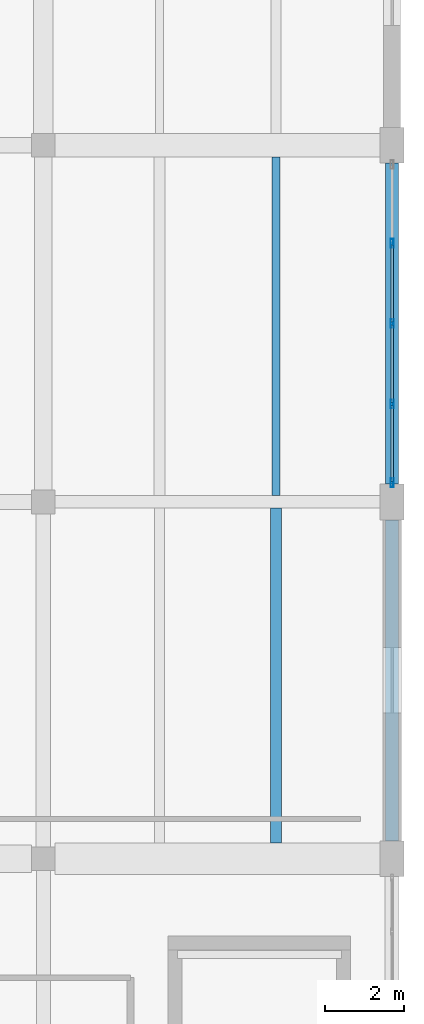
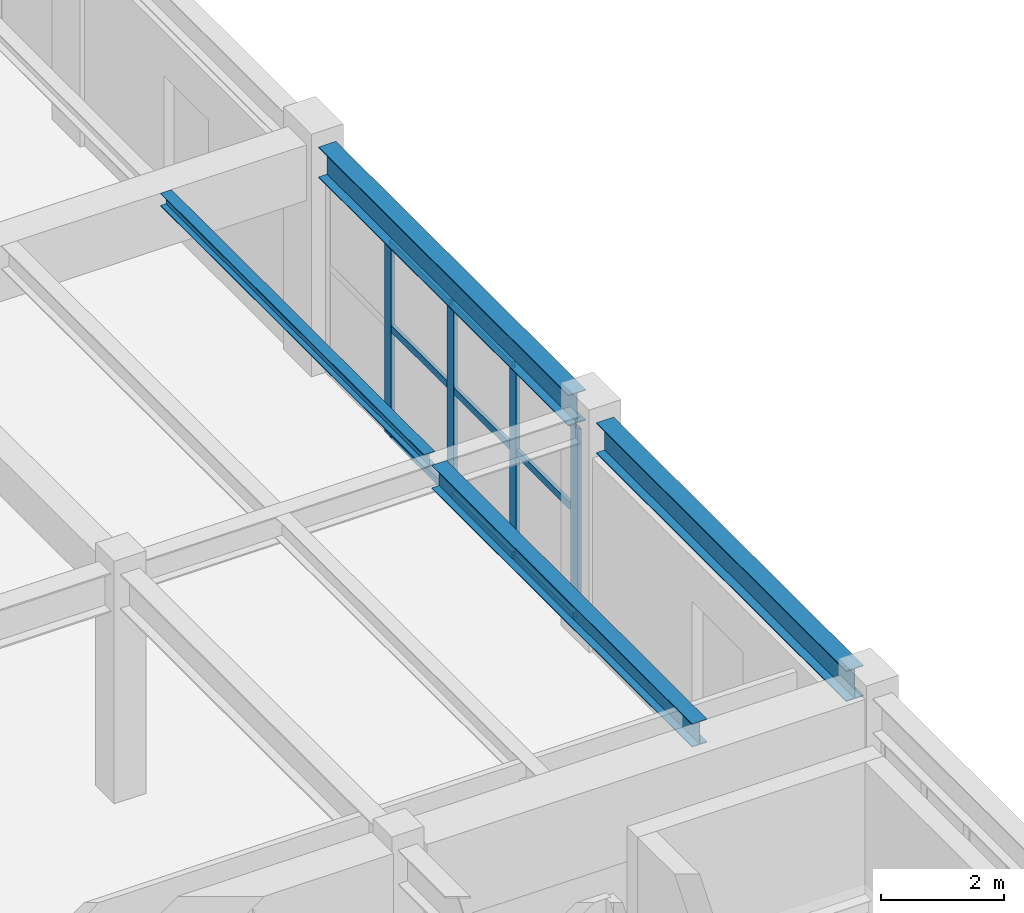
# One storey, part 51 of 85: 13 members, 4 beams, 1 element without a shape of its own.
"""IFC4 building model written with IfcOpenShell, lengths in metres."""

from ifc_helpers import new_model, si_unit, direction, frame, origin, origin_2d, place, context, subcontext, project, spatial, hollow_rectangle, i_section, extrude, material, layer, layer_set, material_profile, profile_set, type_object, element, aggregate, save


model = new_model("IFC4")

# Units and contexts
model_context = context("Model", 3, precision=1e-05, world=origin(), true_north=direction((0.0, 1.0)))
body_context = subcontext(model_context, "Body", "Model", "MODEL_VIEW")
ifc_project = project(units=[si_unit("LENGTHUNIT", "METRE"), si_unit("AREAUNIT", "SQUARE_METRE"), si_unit("VOLUMEUNIT", "CUBIC_METRE"), si_unit("PLANEANGLEUNIT", "RADIAN"), si_unit("MASSUNIT", "GRAM", prefix="KILO")], contexts=[model_context])

# Site, building, storey
site_placement = place(None, origin())
site = spatial("IfcSite", under=ifc_project, at=site_placement, CompositionType="ELEMENT")
building_placement = place(site_placement, origin())
building = spatial("IfcBuilding", under=site, at=building_placement, Name="Vaelkrest Opera House", CompositionType="ELEMENT")
storey_placement = place(building_placement, frame((0.0, 0.0, 10.199951171875)))
storey = spatial("IfcBuildingStorey", under=building, at=storey_placement, Name="L02", CompositionType="ELEMENT", Elevation=10.199951171875)

# Curtain wall, members
ifc_material_1 = material(Name="Dark bronze anodized aluminium", Category="aluminium")
ifc_layer = layer(ifc_material_1, 0.239990234375)
ifc_layer_set = layer_set([ifc_layer], Name="Dark bronze anodized aluminium")
curtain_wall_type = type_object("IfcCurtainWallType", Name="CW07", PredefinedType="NOTDEFINED", material=ifc_layer_set)
curtain_wall_placement = place(storey_placement, origin())
curtain_wall = element("IfcCurtainWall", 1, at=curtain_wall_placement, inside=storey, type_object=curtain_wall_type, Name="Curtain wall CW-L02-165", PredefinedType="NOTDEFINED")
ifc_material_profile_1 = material_profile(ifc_material_1, hollow_rectangle(XDim=0.074951171875, YDim=0.219970703125, WallThickness=0.00439453125, at=origin_2d()), Name="CWM75X220")
ifc_profile_set_1 = profile_set([ifc_material_profile_1], Name="Dark bronze anodized aluminium")
member_type_1 = type_object("IfcMemberType", Name="CWM03", PredefinedType="MULLION", material=ifc_profile_set_1)
member_1_placement = place(storey_placement, frame((77.60009765625, 7.72607421875, 0.0), z_axis=(0.0, 0.0, 1.0), x_axis=(1.0, 0.0, 0.0)))
member_1 = element("IfcMember", 2, at=member_1_placement, type_object=member_type_1, Name="CW07 mullion 2", PredefinedType="MULLION", context=body_context, shape_type="SweptSolid", body=[
    extrude(hollow_rectangle(XDim=0.074951171875, YDim=0.219970703125, WallThickness=0.00439453125, at=origin_2d()), origin(), (0.0, 0.0, 1.0), 3.8291015625),
])
member_2_placement = place(storey_placement, frame((77.60009765625, 5.699951171875, 0.0), z_axis=(0.0, 0.0, 1.0), x_axis=(1.0, 0.0, 0.0)))
member_2 = element("IfcMember", 3, at=member_2_placement, type_object=member_type_1, Name="CW07 mullion 3", PredefinedType="MULLION", context=body_context, shape_type="SweptSolid", body=[
    extrude(hollow_rectangle(XDim=0.074951171875, YDim=0.219970703125, WallThickness=0.00439453125, at=origin_2d()), origin(), (0.0, 0.0, 1.0), 3.8291015625),
])
member_3_placement = place(storey_placement, frame((77.60009765625, 3.674072265625, 0.0), z_axis=(0.0, 0.0, 1.0), x_axis=(1.0, 0.0, 0.0)))
member_3 = element("IfcMember", 4, at=member_3_placement, type_object=member_type_1, Name="CW07 mullion 4", PredefinedType="MULLION", context=body_context, shape_type="SweptSolid", body=[
    extrude(hollow_rectangle(XDim=0.074951171875, YDim=0.219970703125, WallThickness=0.00439453125, at=origin_2d()), origin(), (0.0, 0.0, 1.0), 3.8291015625),
])
member_4_placement = place(storey_placement, frame((77.60009765625, 1.685546875, 0.0), z_axis=(0.0, 0.0, 1.0), x_axis=(1.0, 0.0, 0.0)))
member_4 = element("IfcMember", 5, at=member_4_placement, type_object=member_type_1, Name="CW07 mullion 5", PredefinedType="MULLION", context=body_context, shape_type="SweptSolid", body=[
    extrude(hollow_rectangle(XDim=0.074951171875, YDim=0.219970703125, WallThickness=0.00439453125, at=origin_2d()), origin(), (0.0, 0.0, 1.0), 3.8291015625),
])
ifc_material_profile_2 = material_profile(ifc_material_1, hollow_rectangle(XDim=0.06494140625, YDim=0.139892578125, WallThickness=0.00390625, at=origin_2d()), Name="CWT65X140")
ifc_profile_set_2 = profile_set([ifc_material_profile_2], Name="Dark bronze anodized aluminium")
member_type_2 = type_object("IfcMemberType", Name="CWT01", PredefinedType="USERDEFINED", material=ifc_profile_set_2)
member_5_placement = place(storey_placement, frame((77.60009765625, 7.6884765625, 0.032470703125), z_axis=(0.0, -1.0, 0.0), x_axis=(1.0, 0.0, 0.0)))
member_5 = element("IfcMember", 6, at=member_5_placement, type_object=member_type_2, Name="CW07 transom 2.1", ObjectType="TRANSOM", PredefinedType="USERDEFINED", context=body_context, shape_type="SweptSolid", body=[
    extrude(hollow_rectangle(XDim=0.06494140625, YDim=0.139892578125, WallThickness=0.00390625, at=origin_2d()), origin(), (0.0, 0.0, 1.0), 1.950927734375),
])
member_6_placement = place(storey_placement, frame((77.60009765625, 7.6884765625, 2.150146484375), z_axis=(0.0, -1.0, 0.0), x_axis=(1.0, 0.0, 0.0)))
member_6 = element("IfcMember", 7, at=member_6_placement, type_object=member_type_2, Name="CW07 transom 2.2", ObjectType="TRANSOM", PredefinedType="USERDEFINED", context=body_context, shape_type="SweptSolid", body=[
    extrude(hollow_rectangle(XDim=0.06494140625, YDim=0.139892578125, WallThickness=0.00390625, at=origin_2d()), origin(), (0.0, 0.0, 1.0), 1.950927734375),
])
member_7_placement = place(storey_placement, frame((77.60009765625, 7.6884765625, 3.796630859375), z_axis=(0.0, -1.0, 0.0), x_axis=(1.0, 0.0, 0.0)))
member_7 = element("IfcMember", 8, at=member_7_placement, type_object=member_type_2, Name="CW07 transom 2.3", ObjectType="TRANSOM", PredefinedType="USERDEFINED", context=body_context, shape_type="SweptSolid", body=[
    extrude(hollow_rectangle(XDim=0.06494140625, YDim=0.139892578125, WallThickness=0.00390625, at=origin_2d()), origin(), (0.0, 0.0, 1.0), 1.950927734375),
])
member_8_placement = place(storey_placement, frame((77.60009765625, 5.66259765625, 0.032470703125), z_axis=(0.0, -1.0, 0.0), x_axis=(1.0, 0.0, 0.0)))
member_8 = element("IfcMember", 9, at=member_8_placement, type_object=member_type_2, Name="CW07 transom 3.1", ObjectType="TRANSOM", PredefinedType="USERDEFINED", context=body_context, shape_type="SweptSolid", body=[
    extrude(hollow_rectangle(XDim=0.06494140625, YDim=0.139892578125, WallThickness=0.00390625, at=origin_2d()), origin(), (0.0, 0.0, 1.0), 1.951171875),
])
member_9_placement = place(storey_placement, frame((77.60009765625, 5.66259765625, 2.150146484375), z_axis=(0.0, -1.0, 0.0), x_axis=(1.0, 0.0, 0.0)))
member_9 = element("IfcMember", 10, at=member_9_placement, type_object=member_type_2, Name="CW07 transom 3.2", ObjectType="TRANSOM", PredefinedType="USERDEFINED", context=body_context, shape_type="SweptSolid", body=[
    extrude(hollow_rectangle(XDim=0.06494140625, YDim=0.139892578125, WallThickness=0.00390625, at=origin_2d()), origin(), (0.0, 0.0, 1.0), 1.951171875),
])
member_10_placement = place(storey_placement, frame((77.60009765625, 5.66259765625, 3.796630859375), z_axis=(0.0, -1.0, 0.0), x_axis=(1.0, 0.0, 0.0)))
member_10 = element("IfcMember", 11, at=member_10_placement, type_object=member_type_2, Name="CW07 transom 3.3", ObjectType="TRANSOM", PredefinedType="USERDEFINED", context=body_context, shape_type="SweptSolid", body=[
    extrude(hollow_rectangle(XDim=0.06494140625, YDim=0.139892578125, WallThickness=0.00390625, at=origin_2d()), origin(), (0.0, 0.0, 1.0), 1.951171875),
])
member_11_placement = place(storey_placement, frame((77.60009765625, 3.636474609375, 0.032470703125), z_axis=(0.0, -1.0, 0.0), x_axis=(1.0, 0.0, 0.0)))
member_11 = element("IfcMember", 12, at=member_11_placement, type_object=member_type_2, Name="CW07 transom 4.1", ObjectType="TRANSOM", PredefinedType="USERDEFINED", context=body_context, shape_type="SweptSolid", body=[
    extrude(hollow_rectangle(XDim=0.06494140625, YDim=0.139892578125, WallThickness=0.00390625, at=origin_2d()), origin(), (0.0, 0.0, 1.0), 1.91357421875),
])
member_12_placement = place(storey_placement, frame((77.60009765625, 3.636474609375, 2.150146484375), z_axis=(0.0, -1.0, 0.0), x_axis=(1.0, 0.0, 0.0)))
member_12 = element("IfcMember", 13, at=member_12_placement, type_object=member_type_2, Name="CW07 transom 4.2", ObjectType="TRANSOM", PredefinedType="USERDEFINED", context=body_context, shape_type="SweptSolid", body=[
    extrude(hollow_rectangle(XDim=0.06494140625, YDim=0.139892578125, WallThickness=0.00390625, at=origin_2d()), origin(), (0.0, 0.0, 1.0), 1.91357421875),
])
member_13_placement = place(storey_placement, frame((77.60009765625, 3.636474609375, 3.796630859375), z_axis=(0.0, -1.0, 0.0), x_axis=(1.0, 0.0, 0.0)))
member_13 = element("IfcMember", 14, at=member_13_placement, type_object=member_type_2, Name="CW07 transom 4.3", ObjectType="TRANSOM", PredefinedType="USERDEFINED", context=body_context, shape_type="SweptSolid", body=[
    extrude(hollow_rectangle(XDim=0.06494140625, YDim=0.139892578125, WallThickness=0.00390625, at=origin_2d()), origin(), (0.0, 0.0, 1.0), 1.91357421875),
])
aggregate(curtain_wall, [member_1, member_2, member_3, member_4, member_5, member_6, member_7, member_8, member_9, member_10, member_11, member_12, member_13])

# Beams
ifc_material_2 = material(Name="Steel A992 Gr50", Category="steel")
ifc_material_profile_3 = material_profile(ifc_material_2, i_section(OverallWidth=0.2041015625, OverallDepth=0.257080078125, WebThickness=0.0087890625, FlangeThickness=0.015625, at=origin_2d()), Name="W10X45")
ifc_profile_set_3 = profile_set([ifc_material_profile_3], Name="Steel A992 Gr50")
beam_type_1 = type_object("IfcBeamType", Name="J01", PredefinedType="JOIST", material=ifc_profile_set_3)
beam_1_placement = place(storey_placement, frame((74.6669921875, 1.357421875, 4.37646484375), z_axis=(0.0, 1.0, 0.0), x_axis=(-1.0, 0.0, 0.0)))
element("IfcBeam", 15, at=beam_1_placement, inside=storey, type_object=beam_type_1, Name="Floor joist JST-V4-L02-2331", PredefinedType="JOIST", context=body_context, shape_type="SweptSolid", body=[
    extrude(i_section(OverallWidth=0.2041015625, OverallDepth=0.257080078125, WebThickness=0.0087890625, FlangeThickness=0.015625, at=origin_2d()), origin(), (0.0, 0.0, 1.0), 8.54248046875),
])
ifc_material_profile_4 = material_profile(ifc_material_2, i_section(OverallWidth=0.280029296875, OverallDepth=0.462890625, WebThickness=0.0107421875, FlangeThickness=0.017333984375, at=origin_2d()), Name="W18X76")
ifc_profile_set_4 = profile_set([ifc_material_profile_4], Name="Steel A992 Gr50")
beam_type_2 = type_object("IfcBeamType", Name="J09", PredefinedType="JOIST", material=ifc_profile_set_4)
beam_2_placement = place(storey_placement, frame((74.6669921875, -7.39990234375, 4.2734375), z_axis=(0.0, 1.0, 0.0), x_axis=(-1.0, 0.0, 0.0)))
element("IfcBeam", 16, at=beam_2_placement, inside=storey, type_object=beam_type_2, Name="Floor joist JST-V4-L02-2329", PredefinedType="JOIST", context=body_context, shape_type="SweptSolid", body=[
    extrude(i_section(OverallWidth=0.280029296875, OverallDepth=0.462890625, WebThickness=0.0107421875, FlangeThickness=0.017333984375, at=origin_2d()), origin(), (0.0, 0.0, 1.0), 8.4423828125),
])
ifc_material_profile_5 = material_profile(ifc_material_2, i_section(OverallWidth=0.323974609375, OverallDepth=0.611083984375, WebThickness=0.0126953125, FlangeThickness=0.01904296875, at=origin_2d()), Name="W24X104")
ifc_profile_set_5 = profile_set([ifc_material_profile_5], Name="Steel A992 Gr50")
beam_type_3 = type_object("IfcBeamType", Name="SP01", PredefinedType="SPANDREL", material=ifc_profile_set_5)
for number, where, z_axis, x_axis, name in (
    (17, (77.60009765625, -7.35009765625, 4.199462890625), (0.0, 1.0, 0.0), (-1.0, 0.0, 0.0), "Beam BM-V4-L02-2308"),
    (18, (77.60009765625, 1.64990234375, 4.199462890625), (0.0, 1.0, 0.0), (-1.0, 0.0, 0.0), "Beam BM-V4-L02-2309"),
):
    element("IfcBeam", number, at=place(storey_placement, frame(where, z_axis=z_axis, x_axis=x_axis)), inside=storey, type_object=beam_type_3, Name=name, PredefinedType="SPANDREL", context=body_context, shape_type="SweptSolid", body=[
        extrude(i_section(OverallWidth=0.323974609375, OverallDepth=0.611083984375, WebThickness=0.0126953125, FlangeThickness=0.01904296875, at=origin_2d()), origin(), (0.0, 0.0, 1.0), 8.10009765625),
    ])

save(model, "model.ifc")
